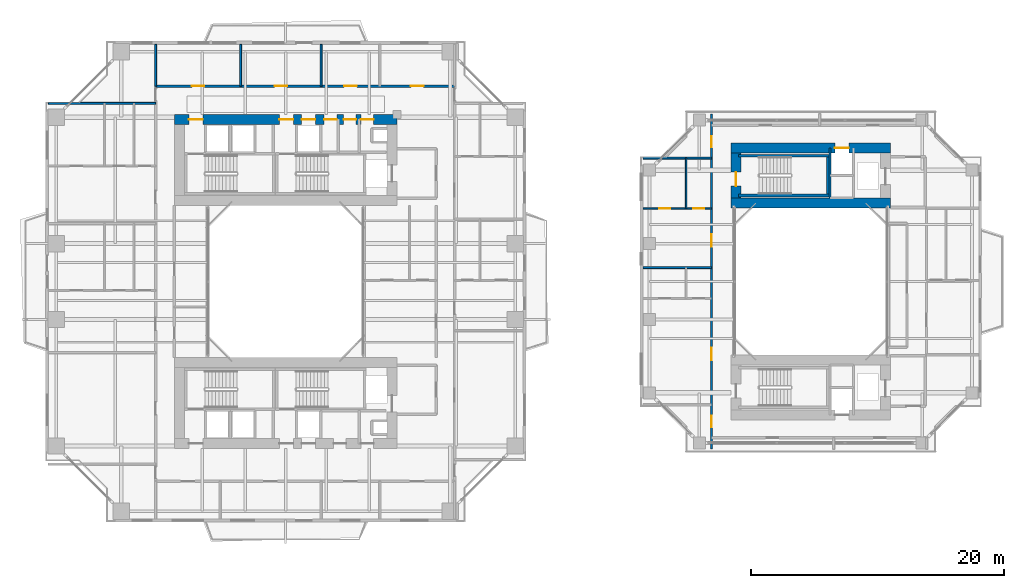
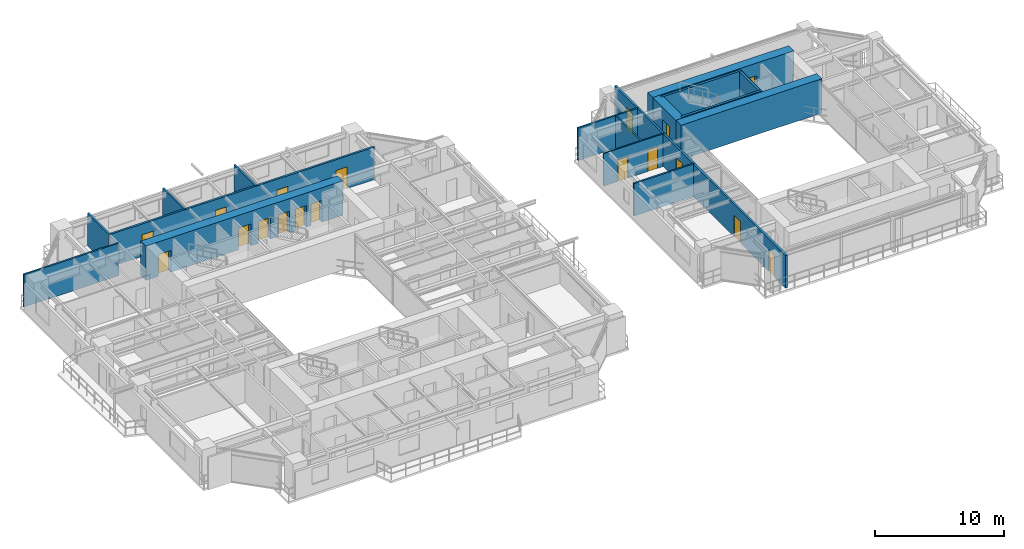
# One storey, part 16 of 23: 18 doors, 18 walls, 18 openings.
"""IFC4 building model written with IfcOpenShell, lengths in metres."""

from ifc_helpers import new_model, si_unit, direction, frame, frame_2d, origin, place, context, subcontext, project, spatial, rectangle, extrude, source, transform, mapped, material, layer, layer_set, type_object, element, fill, save


model = new_model("IFC4")

# Units and contexts
model_context = context("Model", 3, precision=1e-05, world=origin(), true_north=direction((0.0, 1.0)))
body_context = subcontext(model_context, "Body", "Model", "MODEL_VIEW")
ifc_project = project(units=[si_unit("LENGTHUNIT", "METRE"), si_unit("AREAUNIT", "SQUARE_METRE"), si_unit("VOLUMEUNIT", "CUBIC_METRE"), si_unit("PLANEANGLEUNIT", "RADIAN"), si_unit("MASSUNIT", "GRAM", prefix="KILO"), si_unit("THERMODYNAMICTEMPERATUREUNIT", "KELVIN"), si_unit("POWERUNIT", "WATT")], contexts=[model_context])

# Site, building, storey
site_placement = place(None, origin())
site = spatial("IfcSite", under=ifc_project, at=site_placement, CompositionType="ELEMENT")
building_placement = place(site_placement, origin())
building = spatial("IfcBuilding", under=site, at=building_placement, Name="Qiaomeng Ring Towers", CompositionType="ELEMENT")
storey_placement = place(building_placement, frame((0.0, 0.0, 39.25)))
storey = spatial("IfcBuildingStorey", under=building, at=storey_placement, Name="L10", CompositionType="ELEMENT", Elevation=39.25)

# Wall, openings, doors
ifc_material_1 = material(Name="Autoclaved aerated concrete block", Category="concrete")
ifc_layer_1 = layer(ifc_material_1, 0.179931640625, Name="Autoclaved aerated concrete block")
ifc_layer_set_1 = layer_set([ifc_layer_1], Name="Autoclaved aerated concrete block")
wall_type_1 = type_object("IfcWallType", Name="ARC-WL-PW2", PredefinedType="PARTITIONING", material=ifc_layer_set_1)
wall_1_placement = place(storey_placement, frame((8.719970703125, 38.43994140625, 0.0), z_axis=(0.0, 0.0, 1.0), x_axis=(1.0, 0.0, 0.0)))
wall_1 = element("IfcWall", 1, at=wall_1_placement, inside=storey, type_object=wall_type_1, Name="L10 Interior Wall PW2", PredefinedType="PARTITIONING", context=body_context, shape_type="SweptSolid", body=[
    extrude(rectangle(XDim=23.630126953125, YDim=0.179931640625, at=frame_2d((11.81494140625, 0.0))), origin(), (0.0, 0.0, 1.0), 3.070068359375),
])
opening_1_placement = place(wall_1_placement, frame((2.860107421875, 0.0, 0.0)))
opening_1 = element("IfcOpeningElement", 2, at=opening_1_placement, cuts=wall_1, Name="Opening FD4", PredefinedType="OPENING", context=body_context, shape_type="SweptSolid", body=[
    extrude(rectangle(XDim=1.0, YDim=2.050048828125, at=frame_2d((0.5, 1.02490234375))), frame((0.0, 0.099853515625, 0.0), z_axis=(0.0, -1.0, 0.0), x_axis=(1.0, 0.0, 0.0)), (0.0, 0.0, 1.0), 0.199951171875),
])
opening_2_placement = place(wall_1_placement, frame((9.39990234375, 0.0, 0.0)))
opening_2 = element("IfcOpeningElement", 3, at=opening_2_placement, cuts=wall_1, Name="Opening FD4", PredefinedType="OPENING", context=body_context, shape_type="SweptSolid", body=[
    extrude(rectangle(XDim=1.0, YDim=2.050048828125, at=frame_2d((0.5, 1.02490234375))), frame((0.0, 0.099853515625, 0.0), z_axis=(0.0, -1.0, 0.0), x_axis=(1.0, 0.0, 0.0)), (0.0, 0.0, 1.0), 0.199951171875),
])
opening_3_placement = place(wall_1_placement, frame((14.89990234375, 0.0, 0.0)))
opening_3 = element("IfcOpeningElement", 4, at=opening_3_placement, cuts=wall_1, Name="Opening FD4", PredefinedType="OPENING", context=body_context, shape_type="SweptSolid", body=[
    extrude(rectangle(XDim=1.0, YDim=2.050048828125, at=frame_2d((0.5, 1.02490234375))), frame((0.0, 0.099853515625, 0.0), z_axis=(0.0, -1.0, 0.0), x_axis=(1.0, 0.0, 0.0)), (0.0, 0.0, 1.0), 0.199951171875),
])
opening_4_placement = place(wall_1_placement, frame((20.175048828125, 0.0, 0.0)))
opening_4 = element("IfcOpeningElement", 5, at=opening_4_placement, cuts=wall_1, Name="Opening FD4", PredefinedType="OPENING", context=body_context, shape_type="SweptSolid", body=[
    extrude(rectangle(XDim=1.0, YDim=2.050048828125, at=frame_2d((0.5, 1.02490234375))), frame((0.0, 0.099853515625, 0.0), z_axis=(0.0, -1.0, 0.0), x_axis=(1.0, 0.0, 0.0)), (0.0, 0.0, 1.0), 0.199951171875),
])
ifc_material_2 = material(Name="Engineered fire-rated oak timber", Category="wood")
door_type_1 = type_object("IfcDoorType", Name="ARC-DR-FD4", OperationType="NOTDEFINED", PredefinedType="DOOR", material=ifc_material_2)
shared_shape_1 = source(origin(), body_context, "Body", "SweptSolid", [
    extrude(rectangle(XDim=1.0, YDim=2.050048828125, at=frame_2d((0.5, 1.02490234375))), frame((0.0, 0.02490234375, 0.0), z_axis=(0.0, -1.0, 0.0), x_axis=(1.0, 0.0, 0.0)), (0.0, 0.0, 1.0), 0.050048828125),
])
door_1_placement = place(opening_1_placement, origin())
door_1 = element("IfcDoor", 6, at=door_1_placement, inside=storey, type_object=door_type_1, Name="L10 Door FD4", OperationType="SINGLE_SWING_RIGHT", OverallHeight=2.050048828125, OverallWidth=1.0, PredefinedType="DOOR", context=body_context, shape_type="MappedRepresentation", body=[
    mapped(shared_shape_1, transform((0.0, 0.0, 0.0), x_axis=(1.0, 0.0, 0.0), y_axis=(0.0, 1.0, 0.0), z_axis=(0.0, 0.0, 1.0), scale=1.0)),
])
fill(opening_1, door_1)
door_2_placement = place(opening_2_placement, origin())
door_2 = element("IfcDoor", 7, at=door_2_placement, inside=storey, type_object=door_type_1, Name="L10 Door FD4", OperationType="SINGLE_SWING_LEFT", OverallHeight=2.050048828125, OverallWidth=1.0, PredefinedType="DOOR", context=body_context, shape_type="MappedRepresentation", body=[
    mapped(shared_shape_1, transform((0.0, 0.0, 0.0), x_axis=(1.0, 0.0, 0.0), y_axis=(0.0, 1.0, 0.0), z_axis=(0.0, 0.0, 1.0), scale=1.0)),
])
fill(opening_2, door_2)
door_3_placement = place(opening_3_placement, origin())
door_3 = element("IfcDoor", 8, at=door_3_placement, inside=storey, type_object=door_type_1, Name="L10 Door FD4", OperationType="SINGLE_SWING_RIGHT", OverallHeight=2.050048828125, OverallWidth=1.0, PredefinedType="DOOR", context=body_context, shape_type="MappedRepresentation", body=[
    mapped(shared_shape_1, transform((0.0, 0.0, 0.0), x_axis=(1.0, 0.0, 0.0), y_axis=(0.0, 1.0, 0.0), z_axis=(0.0, 0.0, 1.0), scale=1.0)),
])
fill(opening_3, door_3)
door_4_placement = place(opening_4_placement, origin())
door_4 = element("IfcDoor", 9, at=door_4_placement, inside=storey, type_object=door_type_1, Name="L10 Door FD4", OperationType="SINGLE_SWING_LEFT", OverallHeight=2.050048828125, OverallWidth=1.0, PredefinedType="DOOR", context=body_context, shape_type="MappedRepresentation", body=[
    mapped(shared_shape_1, transform((0.0, 0.0, 0.0), x_axis=(1.0, 0.0, 0.0), y_axis=(0.0, 1.0, 0.0), z_axis=(0.0, 0.0, 1.0), scale=1.0)),
])
fill(opening_4, door_4)

wall_2_placement = place(storey_placement, frame((52.64990234375, 9.75, 0.0), z_axis=(0.0, 0.0, 1.0), x_axis=(0.0, 1.0, 0.0)))
wall_2 = element("IfcWall", 10, at=wall_2_placement, inside=storey, type_object=wall_type_1, Name="L10 Interior Wall PW2", PredefinedType="PARTITIONING", context=body_context, shape_type="SweptSolid", body=[
    extrude(rectangle(XDim=26.5, YDim=0.179931640625, at=frame_2d((13.25, 0.0))), origin(), (0.0, 0.0, 1.0), 3.070068359375),
])
opening_5_placement = place(wall_2_placement, frame((23.85009765625, 0.0, 0.0)))
opening_5 = element("IfcOpeningElement", 11, at=opening_5_placement, cuts=wall_2, Name="Opening ID1", PredefinedType="OPENING", context=body_context, shape_type="SweptSolid", body=[
    extrude(rectangle(XDim=0.89990234375, YDim=2.050048828125, at=frame_2d((0.449951171875, 1.02490234375))), frame((0.0, 0.099853515625, 0.0), z_axis=(0.0, -1.0, 0.0), x_axis=(1.0, 0.0, 0.0)), (0.0, 0.0, 1.0), 0.199951171875),
])
opening_6_placement = place(wall_2_placement, frame((1.75, 0.0, 0.0)))
opening_6 = element("IfcOpeningElement", 12, at=opening_6_placement, cuts=wall_2, Name="Opening ID1", PredefinedType="OPENING", context=body_context, shape_type="SweptSolid", body=[
    extrude(rectangle(XDim=0.89990234375, YDim=2.050048828125, at=frame_2d((0.449951171875, 1.02490234375))), frame((0.0, 0.099853515625, 0.0), z_axis=(0.0, -1.0, 0.0), x_axis=(1.0, 0.0, 0.0)), (0.0, 0.0, 1.0), 0.199951171875),
])
opening_7_placement = place(wall_2_placement, frame((7.014892578125, 0.0, 0.0)))
opening_7 = element("IfcOpeningElement", 13, at=opening_7_placement, cuts=wall_2, Name="Opening FD4", PredefinedType="OPENING", context=body_context, shape_type="SweptSolid", body=[
    extrude(rectangle(XDim=1.0, YDim=2.050048828125, at=frame_2d((0.5, 1.02490234375))), frame((0.0, 0.099853515625, 0.0), z_axis=(0.0, -1.0, 0.0), x_axis=(1.0, 0.0, 0.0)), (0.0, 0.0, 1.0), 0.199951171875),
])
opening_8_placement = place(wall_2_placement, frame((15.9951171875, 0.0, 0.0)))
opening_8 = element("IfcOpeningElement", 14, at=opening_8_placement, cuts=wall_2, Name="Opening FD4", PredefinedType="OPENING", context=body_context, shape_type="SweptSolid", body=[
    extrude(rectangle(XDim=1.0, YDim=2.050048828125, at=frame_2d((0.5, 1.02490234375))), frame((0.0, 0.099853515625, 0.0), z_axis=(0.0, -1.0, 0.0), x_axis=(1.0, 0.0, 0.0)), (0.0, 0.0, 1.0), 0.199951171875),
])
door_5_placement = place(opening_7_placement, origin())
door_5 = element("IfcDoor", 15, at=door_5_placement, inside=storey, type_object=door_type_1, Name="L10 Door FD4", OperationType="SINGLE_SWING_LEFT", OverallHeight=2.050048828125, OverallWidth=1.0, PredefinedType="DOOR", context=body_context, shape_type="MappedRepresentation", body=[
    mapped(shared_shape_1, transform((0.0, 0.0, 0.0), x_axis=(1.0, 0.0, 0.0), y_axis=(0.0, 1.0, 0.0), z_axis=(0.0, 0.0, 1.0), scale=1.0)),
])
fill(opening_7, door_5)
door_6_placement = place(opening_8_placement, origin())
door_6 = element("IfcDoor", 16, at=door_6_placement, inside=storey, type_object=door_type_1, Name="L10 Door FD4", OperationType="SINGLE_SWING_RIGHT", OverallHeight=2.050048828125, OverallWidth=1.0, PredefinedType="DOOR", context=body_context, shape_type="MappedRepresentation", body=[
    mapped(shared_shape_1, transform((0.0, 0.0, 0.0), x_axis=(1.0, 0.0, 0.0), y_axis=(0.0, 1.0, 0.0), z_axis=(0.0, 0.0, 1.0), scale=1.0)),
])
fill(opening_8, door_6)
ifc_material_3 = material(Name="Engineered oak timber", Category="wood")
door_type_2 = type_object("IfcDoorType", Name="ARC-DR-ID1", OperationType="NOTDEFINED", PredefinedType="DOOR", material=ifc_material_3)
shared_shape_2 = source(origin(), body_context, "Body", "SweptSolid", [
    extrude(rectangle(XDim=0.89990234375, YDim=2.050048828125, at=frame_2d((0.449951171875, 1.02490234375))), frame((0.0, 0.02490234375, 0.0), z_axis=(0.0, -1.0, 0.0), x_axis=(1.0, 0.0, 0.0)), (0.0, 0.0, 1.0), 0.050048828125),
])
door_7_placement = place(opening_5_placement, origin())
door_7 = element("IfcDoor", 17, at=door_7_placement, inside=storey, type_object=door_type_2, Name="L10 Door ID1", OperationType="SINGLE_SWING_LEFT", OverallHeight=2.050048828125, OverallWidth=0.89990234375, PredefinedType="DOOR", context=body_context, shape_type="MappedRepresentation", body=[
    mapped(shared_shape_2, transform((0.0, 0.0, 0.0), x_axis=(1.0, 0.0, 0.0), y_axis=(0.0, 1.0, 0.0), z_axis=(0.0, 0.0, 1.0), scale=1.0)),
])
fill(opening_5, door_7)
door_8_placement = place(opening_6_placement, origin())
door_8 = element("IfcDoor", 18, at=door_8_placement, inside=storey, type_object=door_type_2, Name="L10 Door ID1", OperationType="SINGLE_SWING_RIGHT", OverallHeight=2.050048828125, OverallWidth=0.89990234375, PredefinedType="DOOR", context=body_context, shape_type="MappedRepresentation", body=[
    mapped(shared_shape_2, transform((0.0, 0.0, 0.0), x_axis=(1.0, 0.0, 0.0), y_axis=(0.0, 1.0, 0.0), z_axis=(0.0, 0.0, 1.0), scale=1.0)),
])
fill(opening_6, door_8)

# Walls
ifc_material_4 = material(Name="Gypsum fireboard steel-stud partition", Category="steel")
ifc_layer_2 = layer(ifc_material_4, 0.14990234375, Name="Gypsum fireboard steel-stud partition")
ifc_layer_set_2 = layer_set([ifc_layer_2], Name="Gypsum fireboard steel-stud partition")
wall_type_2 = type_object("IfcWallType", Name="ARC-WL-PW3", PredefinedType="PARTITIONING", material=ifc_layer_set_2)
for number, where, z_axis, x_axis, name in (
    (19, (15.43994140625, 38.43994140625, 0.0), (0.0, 0.0, 1.0), (0.0, 1.0, 0.0), "L10 Interior Wall PW3"),
    (20, (21.800048828125, 38.43994140625, 0.0), (0.0, 0.0, 1.0), (0.0, 1.0, 0.0), "L10 Interior Wall PW3"),
    (21, (8.719970703125, 38.43994140625, 0.0), (0.0, 0.0, 1.0), (0.0, 1.0, 0.0), "L10 Interior Wall PW3"),
):
    element("IfcWall", number, at=place(storey_placement, frame(where, z_axis=z_axis, x_axis=x_axis)), inside=storey, type_object=wall_type_2, Name=name, PredefinedType="PARTITIONING", context=body_context, shape_type="SweptSolid", body=[
        extrude(rectangle(XDim=3.31005859375, YDim=0.14990234375, at=frame_2d((1.655029296875, 0.0))), origin(), (0.0, 0.0, 1.0), 3.070068359375),
    ])
wall_3_placement = place(storey_placement, frame((0.25, 37.080078125, 0.0), z_axis=(0.0, 0.0, 1.0), x_axis=(1.0, 0.0, 0.0)))
element("IfcWall", 22, at=wall_3_placement, inside=storey, type_object=wall_type_2, Name="L10 Interior Wall PW3", PredefinedType="PARTITIONING", context=body_context, shape_type="SweptSolid", body=[
    extrude(rectangle(XDim=8.469970703125, YDim=0.14990234375, at=frame_2d((4.23486328125, 0.0))), origin(), (0.0, 0.0, 1.0), 3.070068359375),
])
for number, where, z_axis, x_axis, name in (
    (23, (47.25, 32.75, 0.0), (0.0, 0.0, 1.0), (1.0, 0.0, 0.0), "L10 Interior Wall PW3"),
    (24, (47.25, 24.10009765625, 0.0), (0.0, 0.0, 1.0), (1.0, 0.0, 0.0), "L10 Interior Wall PW3"),
):
    element("IfcWall", number, at=place(storey_placement, frame(where, z_axis=z_axis, x_axis=x_axis)), inside=storey, type_object=wall_type_2, Name=name, PredefinedType="PARTITIONING", context=body_context, shape_type="SweptSolid", body=[
        extrude(rectangle(XDim=5.39990234375, YDim=0.14990234375, at=frame_2d((2.699951171875, 0.0))), origin(), (0.0, 0.0, 1.0), 3.070068359375),
    ])

# Wall, openings, doors
ifc_material_5 = material(Name="Moisture-resistant gypsum steel-stud partition", Category="steel")
ifc_layer_3 = layer(ifc_material_5, 0.1201171875, Name="Moisture-resistant gypsum steel-stud partition")
ifc_layer_set_3 = layer_set([ifc_layer_3], Name="Moisture-resistant gypsum steel-stud partition")
wall_type_3 = type_object("IfcWallType", Name="ARC-WL-PW4", PredefinedType="PLUMBINGWALL", material=ifc_layer_set_3)
wall_4_placement = place(storey_placement, frame((47.25, 28.77001953125, 0.0), z_axis=(0.0, 0.0, 1.0), x_axis=(1.0, 0.0, 0.0)))
wall_4 = element("IfcWall", 25, at=wall_4_placement, inside=storey, type_object=wall_type_3, Name="L10 Interior Wall PW4", PredefinedType="PLUMBINGWALL", context=body_context, shape_type="SweptSolid", body=[
    extrude(rectangle(XDim=5.39990234375, YDim=0.1201171875, at=frame_2d((2.699951171875, 0.0))), origin(), (0.0, 0.0, 1.0), 3.070068359375),
])
opening_9_placement = place(wall_4_placement, frame((1.260009765625, 0.0, 0.0)))
opening_9 = element("IfcOpeningElement", 26, at=opening_9_placement, cuts=wall_4, Name="Opening ID1", PredefinedType="OPENING", context=body_context, shape_type="SweptSolid", body=[
    extrude(rectangle(XDim=0.89990234375, YDim=2.050048828125, at=frame_2d((0.449951171875, 1.02490234375))), frame((0.0, 0.070068359375, 0.0), z_axis=(0.0, -1.0, 0.0), x_axis=(1.0, 0.0, 0.0)), (0.0, 0.0, 1.0), 0.14013671875),
])
opening_10_placement = place(wall_4_placement, frame((3.965087890625, 0.0, 0.0)))
opening_10 = element("IfcOpeningElement", 27, at=opening_10_placement, cuts=wall_4, Name="Opening ID2", PredefinedType="OPENING", context=body_context, shape_type="SweptSolid", body=[
    extrude(rectangle(XDim=0.85009765625, YDim=2.050048828125, at=frame_2d((0.425048828125, 1.02490234375))), frame((0.0, 0.070068359375, 0.0), z_axis=(0.0, -1.0, 0.0), x_axis=(1.0, 0.0, 0.0)), (0.0, 0.0, 1.0), 0.14013671875),
])
ifc_material_6 = material(Name="Moisture-resistant engineered timber", Category="wood")
door_type_3 = type_object("IfcDoorType", Name="ARC-DR-ID2", OperationType="NOTDEFINED", PredefinedType="DOOR", material=ifc_material_6)
shared_shape_3 = source(origin(), body_context, "Body", "SweptSolid", [
    extrude(rectangle(XDim=0.85009765625, YDim=2.050048828125, at=frame_2d((0.425048828125, 1.02490234375))), frame((0.0, 0.02490234375, 0.0), z_axis=(0.0, -1.0, 0.0), x_axis=(1.0, 0.0, 0.0)), (0.0, 0.0, 1.0), 0.050048828125),
])
door_9_placement = place(opening_10_placement, origin())
door_9 = element("IfcDoor", 28, at=door_9_placement, inside=storey, type_object=door_type_3, Name="L10 Door ID2", OperationType="SINGLE_SWING_RIGHT", OverallHeight=2.050048828125, OverallWidth=0.85009765625, PredefinedType="DOOR", context=body_context, shape_type="MappedRepresentation", body=[
    mapped(shared_shape_3, transform((0.0, 0.0, 0.0), x_axis=(1.0, 0.0, 0.0), y_axis=(0.0, 1.0, 0.0), z_axis=(0.0, 0.0, 1.0), scale=1.0)),
])
fill(opening_10, door_9)
door_10_placement = place(opening_9_placement, origin())
door_10 = element("IfcDoor", 29, at=door_10_placement, inside=storey, type_object=door_type_2, Name="L10 Door ID1", OperationType="SINGLE_SWING_LEFT", OverallHeight=2.050048828125, OverallWidth=0.89990234375, PredefinedType="DOOR", context=body_context, shape_type="MappedRepresentation", body=[
    mapped(shared_shape_2, transform((0.0, 0.0, 0.0), x_axis=(1.0, 0.0, 0.0), y_axis=(0.0, 1.0, 0.0), z_axis=(0.0, 0.0, 1.0), scale=1.0)),
])
fill(opening_9, door_10)

# Walls
wall_5_placement = place(storey_placement, frame((50.64990234375, 28.77001953125, 0.0), z_axis=(0.0, 0.0, 1.0), x_axis=(0.0, 1.0, 0.0)))
element("IfcWall", 30, at=wall_5_placement, inside=storey, type_object=wall_type_3, Name="L10 Interior Wall PW4", PredefinedType="PLUMBINGWALL", context=body_context, shape_type="SweptSolid", body=[
    extrude(rectangle(XDim=3.97998046875, YDim=0.1201171875, at=frame_2d((1.989990234375, 0.0))), origin(), (0.0, 0.0, 1.0), 3.070068359375),
])
ifc_material_7 = material(Name="Concrete C40", Category="concrete")
ifc_layer_4 = layer(ifc_material_7, 0.199951171875, Name="Concrete C40")
ifc_layer_set_4 = layer_set([ifc_layer_4], Name="Concrete C40")
wall_type_4 = type_object("IfcWallType", Name="STR-WL-STSHAFT", PredefinedType="SHEAR", material=ifc_layer_set_4)
wall_6_placement = place(storey_placement, frame((62.02001953125, 29.60009765625, 0.0), z_axis=(0.0, 0.0, 1.0), x_axis=(0.0, 1.0, 0.0)))
element("IfcWall", 31, at=wall_6_placement, inside=storey, type_object=wall_type_4, Name="L10 Companion Lift Shaft West Wall N", PredefinedType="SHEAR", context=body_context, shape_type="SweptSolid", body=[
    extrude(rectangle(XDim=3.949951171875, YDim=0.179931640625, at=frame_2d((1.97509765625, 0.0))), origin(), (0.0, 0.0, 1.0), 3.070068359375),
])
for number, where, z_axis, x_axis, name in (
    (32, (54.800048828125, 29.800048828125, 0.0), (0.0, 0.0, 1.0), (1.0, 0.0, 0.0), "L10 Stair ST5 South Shaft Shear Wall"),
    (33, (54.800048828125, 32.93994140625, 0.0), (0.0, 0.0, 1.0), (1.0, 0.0, 0.0), "L10 Stair ST5 North Shaft Shear Wall"),
):
    element("IfcWall", number, at=place(storey_placement, frame(where, z_axis=z_axis, x_axis=x_axis)), inside=storey, type_object=wall_type_4, Name=name, PredefinedType="SHEAR", context=body_context, shape_type="SweptSolid", body=[
        extrude(rectangle(XDim=7.14990234375, YDim=0.199951171875, at=frame_2d((3.574951171875, 0.0))), origin(), (0.0, 0.0, 1.0), 3.25),
    ])
wall_7_placement = place(storey_placement, frame((61.85009765625, 29.89990234375, 0.0), z_axis=(0.0, 0.0, 1.0), x_axis=(0.0, 1.0, 0.0)))
element("IfcWall", 34, at=wall_7_placement, inside=storey, type_object=wall_type_4, Name="L10 Stair ST5 East Shaft Shear Wall", PredefinedType="SHEAR", context=body_context, shape_type="SweptSolid", body=[
    extrude(rectangle(XDim=2.940185546875, YDim=0.199951171875, at=frame_2d((1.47021484375, 0.0))), origin(), (0.0, 0.0, 1.0), 3.25),
])

# Wall, openings, doors
ifc_material_8 = material(Name="Concrete C60", Category="concrete")
ifc_layer_5 = layer(ifc_material_8, 0.800048828125, Name="Concrete C60")
ifc_layer_set_5 = layer_set([ifc_layer_5], Name="Concrete C60")
wall_type_5 = type_object("IfcWallType", Name="STR-WL-SW1", PredefinedType="SHEAR", material=ifc_layer_set_5)
wall_8_placement = place(storey_placement, frame((10.199951171875, 35.800048828125, 0.0), z_axis=(0.0, 0.0, 1.0), x_axis=(1.0, 0.0, 0.0)))
wall_8 = element("IfcWall", 35, at=wall_8_placement, inside=storey, type_object=wall_type_5, Name="L10 T1NC north core shear wall", PredefinedType="SHEAR", context=body_context, shape_type="SweptSolid", body=[
    extrude(rectangle(XDim=17.60009765625, YDim=0.800048828125, at=frame_2d((8.800048828125, 0.0))), origin(), (0.0, 0.0, 1.0), 3.25),
])
opening_11_placement = place(wall_8_placement, frame((1.14990234375, 0.0, 0.0)))
opening_11 = element("IfcOpeningElement", 36, at=opening_11_placement, cuts=wall_8, Name="Opening FD3", PredefinedType="OPENING", context=body_context, shape_type="SweptSolid", body=[
    extrude(rectangle(XDim=1.10009765625, YDim=2.050048828125, at=frame_2d((0.550048828125, 1.02490234375))), frame((0.0, 0.409912109375, 0.0), z_axis=(0.0, -1.0, 0.0), x_axis=(1.0, 0.0, 0.0)), (0.0, 0.0, 1.0), 0.820068359375),
])
opening_12_placement = place(wall_8_placement, frame((8.300048828125, 0.0, 0.0)))
opening_12 = element("IfcOpeningElement", 37, at=opening_12_placement, cuts=wall_8, Name="Opening FD3", PredefinedType="OPENING", context=body_context, shape_type="SweptSolid", body=[
    extrude(rectangle(XDim=1.10009765625, YDim=2.050048828125, at=frame_2d((0.550048828125, 1.02490234375))), frame((0.0, 0.409912109375, 0.0), z_axis=(0.0, -1.0, 0.0), x_axis=(1.0, 0.0, 0.0)), (0.0, 0.0, 1.0), 0.820068359375),
])
opening_13_placement = place(wall_8_placement, frame((10.050048828125, 0.0, 0.0)))
opening_13 = element("IfcOpeningElement", 38, at=opening_13_placement, cuts=wall_8, Name="Opening LD1", PredefinedType="OPENING", context=body_context, shape_type="SweptSolid", body=[
    extrude(rectangle(XDim=1.10009765625, YDim=2.050048828125, at=frame_2d((0.550048828125, 1.02490234375))), frame((0.0, 0.409912109375, 0.0), z_axis=(0.0, -1.0, 0.0), x_axis=(1.0, 0.0, 0.0)), (0.0, 0.0, 1.0), 0.820068359375),
])
opening_14_placement = place(wall_8_placement, frame((14.739990234375, 0.0, 0.0)))
opening_14 = element("IfcOpeningElement", 39, at=opening_14_placement, cuts=wall_8, Name="Opening FD1", PredefinedType="OPENING", context=body_context, shape_type="SweptSolid", body=[
    extrude(rectangle(XDim=1.0, YDim=2.050048828125, at=frame_2d((0.5, 1.02490234375))), frame((0.0, 0.409912109375, 0.0), z_axis=(0.0, -1.0, 0.0), x_axis=(1.0, 0.0, 0.0)), (0.0, 0.0, 1.0), 0.820068359375),
])
opening_15_placement = place(wall_8_placement, frame((11.8349609375, 0.0, 0.0)))
opening_15 = element("IfcOpeningElement", 40, at=opening_15_placement, cuts=wall_8, Name="Opening FD1", PredefinedType="OPENING", context=body_context, shape_type="SweptSolid", body=[
    extrude(rectangle(XDim=1.0, YDim=2.050048828125, at=frame_2d((0.5, 1.02490234375))), frame((0.0, 0.409912109375, 0.0), z_axis=(0.0, -1.0, 0.0), x_axis=(1.0, 0.0, 0.0)), (0.0, 0.0, 1.0), 0.820068359375),
])
opening_16_placement = place(wall_8_placement, frame((13.3701171875, 0.0, 0.0)))
opening_16 = element("IfcOpeningElement", 41, at=opening_16_placement, cuts=wall_8, Name="Opening FD1", PredefinedType="OPENING", context=body_context, shape_type="SweptSolid", body=[
    extrude(rectangle(XDim=1.0, YDim=2.050048828125, at=frame_2d((0.5, 1.02490234375))), frame((0.0, 0.409912109375, 0.0), z_axis=(0.0, -1.0, 0.0), x_axis=(1.0, 0.0, 0.0)), (0.0, 0.0, 1.0), 0.820068359375),
])
ifc_material_9 = material(Name="Galvanised steel", Category="steel")
door_type_4 = type_object("IfcDoorType", Name="ARC-DR-FD3", OperationType="NOTDEFINED", PredefinedType="DOOR", material=ifc_material_9)
shared_shape_4 = source(origin(), body_context, "Body", "SweptSolid", [
    extrude(rectangle(XDim=1.10009765625, YDim=2.050048828125, at=frame_2d((0.550048828125, 1.02490234375))), frame((0.0, 0.02490234375, 0.0), z_axis=(0.0, -1.0, 0.0), x_axis=(1.0, 0.0, 0.0)), (0.0, 0.0, 1.0), 0.050048828125),
])
door_11_placement = place(opening_11_placement, origin())
door_11 = element("IfcDoor", 42, at=door_11_placement, inside=storey, type_object=door_type_4, Name="L10 Stair ST1 Lobby Door", OperationType="SINGLE_SWING_LEFT", OverallHeight=2.050048828125, OverallWidth=1.10009765625, PredefinedType="DOOR", context=body_context, shape_type="MappedRepresentation", body=[
    mapped(shared_shape_4, transform((0.0, 0.0, 0.0), x_axis=(1.0, 0.0, 0.0), y_axis=(0.0, 1.0, 0.0), z_axis=(0.0, 0.0, 1.0), scale=1.0)),
])
fill(opening_11, door_11)
door_12_placement = place(opening_12_placement, origin())
door_12 = element("IfcDoor", 43, at=door_12_placement, inside=storey, type_object=door_type_4, Name="L10 Stair ST2 Lobby Door", OperationType="SINGLE_SWING_LEFT", OverallHeight=2.050048828125, OverallWidth=1.10009765625, PredefinedType="DOOR", context=body_context, shape_type="MappedRepresentation", body=[
    mapped(shared_shape_4, transform((0.0, 0.0, 0.0), x_axis=(1.0, 0.0, 0.0), y_axis=(0.0, 1.0, 0.0), z_axis=(0.0, 0.0, 1.0), scale=1.0)),
])
fill(opening_12, door_12)
ifc_material_10 = material(Name="Stainless steel 316", Category="steel")
door_type_5 = type_object("IfcDoorType", Name="ARC-DR-LD1", OperationType="NOTDEFINED", PredefinedType="DOOR", material=ifc_material_10)
door_13_placement = place(opening_13_placement, origin())
door_13 = element("IfcDoor", 44, at=door_13_placement, inside=storey, type_object=door_type_5, Name="L10 Low-Zone Lift LP1 Landing Door", OperationType="SLIDING_TO_LEFT", OverallHeight=2.050048828125, OverallWidth=1.10009765625, PredefinedType="DOOR", context=body_context, shape_type="MappedRepresentation", body=[
    mapped(shared_shape_4, transform((0.0, 0.0, 0.0), x_axis=(1.0, 0.0, 0.0), y_axis=(0.0, 1.0, 0.0), z_axis=(0.0, 0.0, 1.0), scale=1.0)),
])
fill(opening_13, door_13)
door_type_6 = type_object("IfcDoorType", Name="ARC-DR-FD1", OperationType="NOTDEFINED", PredefinedType="DOOR", material=ifc_material_9)
door_14_placement = place(opening_14_placement, origin())
door_14 = element("IfcDoor", 45, at=door_14_placement, inside=storey, type_object=door_type_6, Name="L10 North Electrical Riser Door", OperationType="SINGLE_SWING_LEFT", OverallHeight=2.050048828125, OverallWidth=1.0, PredefinedType="DOOR", context=body_context, shape_type="MappedRepresentation", body=[
    mapped(shared_shape_1, transform((0.0, 0.0, 0.0), x_axis=(1.0, 0.0, 0.0), y_axis=(0.0, 1.0, 0.0), z_axis=(0.0, 0.0, 1.0), scale=1.0)),
])
fill(opening_14, door_14)
door_15_placement = place(opening_15_placement, origin())
door_15 = element("IfcDoor", 46, at=door_15_placement, inside=storey, type_object=door_type_6, Name="L10 North Cleaners Store Door", OperationType="SINGLE_SWING_LEFT", OverallHeight=2.050048828125, OverallWidth=1.0, PredefinedType="DOOR", context=body_context, shape_type="MappedRepresentation", body=[
    mapped(shared_shape_1, transform((0.0, 0.0, 0.0), x_axis=(1.0, 0.0, 0.0), y_axis=(0.0, 1.0, 0.0), z_axis=(0.0, 0.0, 1.0), scale=1.0)),
])
fill(opening_15, door_15)
door_16_placement = place(opening_16_placement, origin())
door_16 = element("IfcDoor", 47, at=door_16_placement, inside=storey, type_object=door_type_6, Name="L10 North Beverage Pantry Door", OperationType="SINGLE_SWING_RIGHT", OverallHeight=2.050048828125, OverallWidth=1.0, PredefinedType="DOOR", context=body_context, shape_type="MappedRepresentation", body=[
    mapped(shared_shape_1, transform((0.0, 0.0, 0.0), x_axis=(1.0, 0.0, 0.0), y_axis=(0.0, 1.0, 0.0), z_axis=(0.0, 0.0, 1.0), scale=1.0)),
])
fill(opening_16, door_16)

# Wall
wall_9_placement = place(storey_placement, frame((54.199951171875, 29.199951171875, 0.0), z_axis=(0.0, 0.0, 1.0), x_axis=(1.0, 0.0, 0.0)))
element("IfcWall", 48, at=wall_9_placement, inside=storey, type_object=wall_type_5, Name="L10 T2NC south core shear wall", PredefinedType="SHEAR", context=body_context, shape_type="SweptSolid", body=[
    extrude(rectangle(XDim=12.60009765625, YDim=0.800048828125, at=frame_2d((6.300048828125, 0.0))), origin(), (0.0, 0.0, 1.0), 3.25),
])

# Wall, opening, door
wall_10_placement = place(storey_placement, frame((54.199951171875, 33.550048828125, 0.0), z_axis=(0.0, 0.0, 1.0), x_axis=(1.0, 0.0, 0.0)))
wall_10 = element("IfcWall", 49, at=wall_10_placement, inside=storey, type_object=wall_type_5, Name="L10 T2NC north core shear wall", PredefinedType="SHEAR", context=body_context, shape_type="SweptSolid", body=[
    extrude(rectangle(XDim=12.60009765625, YDim=0.800048828125, at=frame_2d((6.300048828125, 0.0))), origin(), (0.0, 0.0, 1.0), 3.25),
])
opening_17_placement = place(wall_10_placement, frame((8.199951171875, 0.0, 0.0)))
opening_17 = element("IfcOpeningElement", 50, at=opening_17_placement, cuts=wall_10, Name="Opening LD1", PredefinedType="OPENING", context=body_context, shape_type="SweptSolid", body=[
    extrude(rectangle(XDim=1.10009765625, YDim=2.050048828125, at=frame_2d((0.550048828125, 1.02490234375))), frame((0.0, 0.409912109375, 0.0), z_axis=(0.0, -1.0, 0.0), x_axis=(1.0, 0.0, 0.0)), (0.0, 0.0, 1.0), 0.820068359375),
])
door_17_placement = place(opening_17_placement, origin())
door_17 = element("IfcDoor", 51, at=door_17_placement, inside=storey, type_object=door_type_5, Name="L10 Companion Lift LP7 Landing Door", OperationType="SLIDING_TO_LEFT", OverallHeight=2.050048828125, OverallWidth=1.10009765625, PredefinedType="DOOR", context=body_context, shape_type="MappedRepresentation", body=[
    mapped(shared_shape_4, transform((0.0, 0.0, 0.0), x_axis=(1.0, 0.0, 0.0), y_axis=(0.0, 1.0, 0.0), z_axis=(0.0, 0.0, 1.0), scale=1.0)),
])
fill(opening_17, door_17)

wall_11_placement = place(storey_placement, frame((54.60009765625, 29.60009765625, 0.0), z_axis=(0.0, 0.0, 1.0), x_axis=(0.0, 1.0, 0.0)))
wall_11 = element("IfcWall", 52, at=wall_11_placement, inside=storey, type_object=wall_type_5, Name="L10 T2NC west core shear wall", PredefinedType="SHEAR", context=body_context, shape_type="SweptSolid", body=[
    extrude(rectangle(XDim=3.5498046875, YDim=0.800048828125, at=frame_2d((1.77490234375, 0.0))), origin(), (0.0, 0.0, 1.0), 3.25),
])
opening_18_placement = place(wall_11_placement, frame((0.949951171875, 0.0, 0.0)))
opening_18 = element("IfcOpeningElement", 53, at=opening_18_placement, cuts=wall_11, Name="Opening FD3", PredefinedType="OPENING", context=body_context, shape_type="SweptSolid", body=[
    extrude(rectangle(XDim=1.10009765625, YDim=2.050048828125, at=frame_2d((0.550048828125, 1.02490234375))), frame((0.0, 0.409912109375, 0.0), z_axis=(0.0, -1.0, 0.0), x_axis=(1.0, 0.0, 0.0)), (0.0, 0.0, 1.0), 0.820068359375),
])
door_18_placement = place(opening_18_placement, origin())
door_18 = element("IfcDoor", 54, at=door_18_placement, inside=storey, type_object=door_type_4, Name="L10 Stair ST5 Exit Door", OperationType="SINGLE_SWING_RIGHT", OverallHeight=2.050048828125, OverallWidth=1.10009765625, PredefinedType="DOOR", context=body_context, shape_type="MappedRepresentation", body=[
    mapped(shared_shape_4, transform((0.0, 0.0, 0.0), x_axis=(1.0, 0.0, 0.0), y_axis=(0.0, 1.0, 0.0), z_axis=(0.0, 0.0, 1.0), scale=1.0)),
])
fill(opening_18, door_18)

save(model, "model.ifc")
